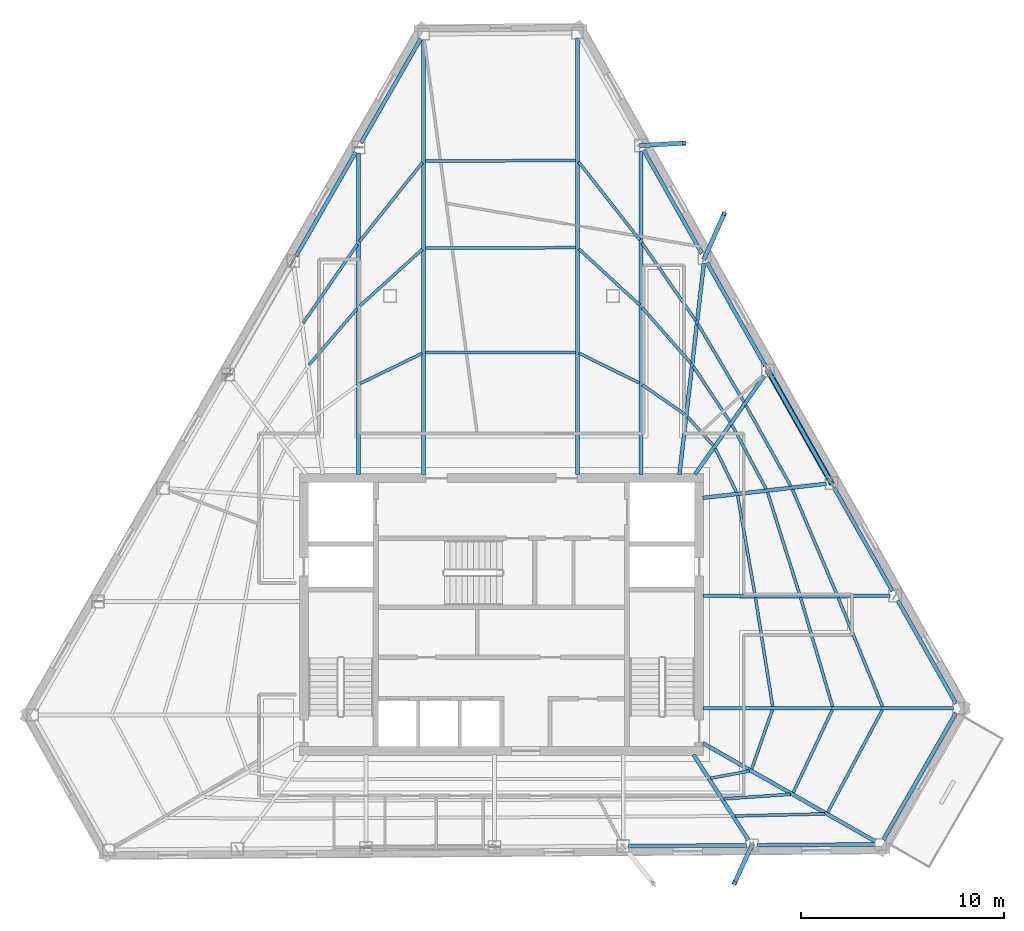
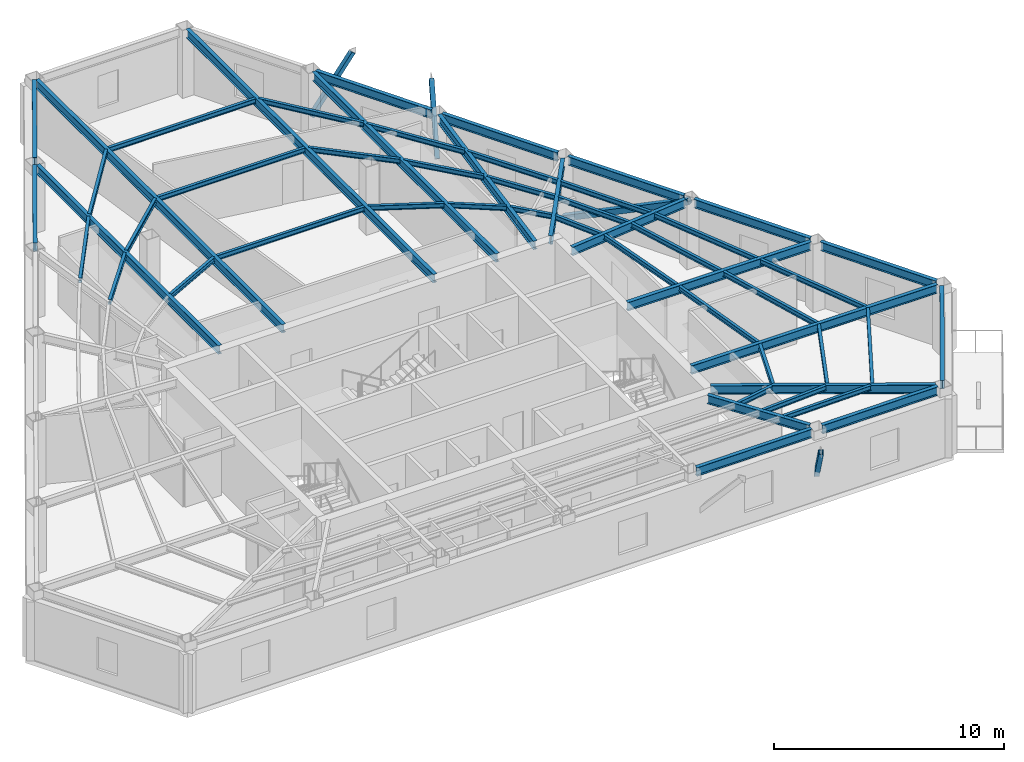
# One storey, part 2 of 12: 53 beams, 4 members.
"""IFC4 building model written with IfcOpenShell, lengths in metres."""

from ifc_helpers import new_model, si_unit, direction, frame, origin, origin_2d, place, context, subcontext, project, spatial, hollow_rectangle, i_section, extrude, material, material_profile, profile_set, type_object, element, save


model = new_model("IFC4")

# Units and contexts
model_context = context("Model", 3, precision=1e-05, world=origin(), true_north=direction((0.0, 1.0)))
body_context = subcontext(model_context, "Body", "Model", "MODEL_VIEW")
ifc_project = project(units=[si_unit("LENGTHUNIT", "METRE"), si_unit("AREAUNIT", "SQUARE_METRE"), si_unit("VOLUMEUNIT", "CUBIC_METRE"), si_unit("PLANEANGLEUNIT", "RADIAN"), si_unit("MASSUNIT", "GRAM", prefix="KILO")], contexts=[model_context])

# Site, building, storey
site_placement = place(None, origin())
site = spatial("IfcSite", under=ifc_project, at=site_placement, CompositionType="ELEMENT")
building_placement = place(site_placement, origin())
building = spatial("IfcBuilding", under=site, at=building_placement, Name="Kavelnor Concourse Tower", CompositionType="ELEMENT")
storey_placement = place(building_placement, frame((0.0, 0.0, 226.60009765625)))
storey = spatial("IfcBuildingStorey", under=building, at=storey_placement, Name="L57", CompositionType="ELEMENT", Elevation=226.60009765625)

# Beams
ifc_material = material(Name="Steel Grade 350", Category="steel")
ifc_material_profile_1 = material_profile(ifc_material, i_section(OverallWidth=0.14599609375, OverallDepth=0.256103515625, WebThickness=0.00634765625, FlangeThickness=0.010986328125, at=origin_2d()), Name="250UB37")
ifc_profile_set_1 = profile_set([ifc_material_profile_1], Name="Steel Grade 350")
beam_type_1 = type_object("IfcBeamType", Name="BM-JOIST-250", PredefinedType="JOIST", material=ifc_profile_set_1)
beam_1_placement = place(storey_placement, frame((48.306884765625, 8.033935546875, 3.471923828125), z_axis=(0.983251944416, 0.182251512483, 0.0), x_axis=(-0.182251512483, 0.983251944416, 0.0)))
element("IfcBeam", 1, at=beam_1_placement, inside=storey, type_object=beam_type_1, Name="L57 Secondary Composite Joist 07-1", PredefinedType="JOIST", context=body_context, shape_type="SweptSolid", body=[
    extrude(i_section(OverallWidth=0.14599609375, OverallDepth=0.256103515625, WebThickness=0.00634765625, FlangeThickness=0.010986328125, at=origin_2d()), origin(), (0.0, 0.0, 1.0), 1.939697265625),
])
beam_2_placement = place(storey_placement, frame((48.95751953125, 7.01611328125, 3.471923828125), z_axis=(0.997741074592, 0.067176990637, 0.0), x_axis=(-0.067176990637, 0.997741074592, 0.0)))
element("IfcBeam", 2, at=beam_2_placement, inside=storey, type_object=beam_type_1, Name="L57 Secondary Composite Joist 07-2", PredefinedType="JOIST", context=body_context, shape_type="SweptSolid", body=[
    extrude(i_section(OverallWidth=0.14599609375, OverallDepth=0.256103515625, WebThickness=0.00634765625, FlangeThickness=0.010986328125, at=origin_2d()), origin(), (0.0, 0.0, 1.0), 3.300048828125),
])
beam_3_placement = place(storey_placement, frame((49.49853515625, 6.172119140625, 3.471923828125), z_axis=(0.999730700512, 0.023206172766, 0.0), x_axis=(-0.023206172766, 0.999730700512, 0.0)))
element("IfcBeam", 3, at=beam_3_placement, inside=storey, type_object=beam_type_1, Name="L57 Secondary Composite Joist 07-3", PredefinedType="JOIST", context=body_context, shape_type="SweptSolid", body=[
    extrude(i_section(OverallWidth=0.14599609375, OverallDepth=0.256103515625, WebThickness=0.00634765625, FlangeThickness=0.010986328125, at=origin_2d()), origin(), (0.0, 0.0, 1.0), 4.4501953125),
])
beam_4_placement = place(storey_placement, frame((50.3310546875, 8.48779296875, 3.471923828125), z_axis=(0.330103288486, 0.943944817736, 0.0), x_axis=(-0.943944817736, 0.330103288486, 0.0)))
element("IfcBeam", 4, at=beam_4_placement, inside=storey, type_object=beam_type_1, Name="L57 Secondary Composite Joist 08-1", PredefinedType="JOIST", context=body_context, shape_type="SweptSolid", body=[
    extrude(i_section(OverallWidth=0.14599609375, OverallDepth=0.256103515625, WebThickness=0.00634765625, FlangeThickness=0.010986328125, at=origin_2d()), origin(), (0.0, 0.0, 1.0), 3.080322265625),
])
beam_5_placement = place(storey_placement, frame((52.376708984375, 7.324462890625, 3.471923828125), z_axis=(0.42732004129, 0.904100427116, 0.0), x_axis=(-0.904100427116, 0.42732004129, 0.0)))
element("IfcBeam", 5, at=beam_5_placement, inside=storey, type_object=beam_type_1, Name="L57 Secondary Composite Joist 08-2", PredefinedType="JOIST", context=body_context, shape_type="SweptSolid", body=[
    extrude(i_section(OverallWidth=0.14599609375, OverallDepth=0.256103515625, WebThickness=0.00634765625, FlangeThickness=0.010986328125, at=origin_2d()), origin(), (0.0, 0.0, 1.0), 4.506591796875),
])
beam_6_placement = place(storey_placement, frame((54.078125, 6.35595703125, 3.471923828125), z_axis=(0.470495144378, 0.882402583358, 0.0), x_axis=(-0.882402583358, 0.470495144378, 0.0)))
element("IfcBeam", 6, at=beam_6_placement, inside=storey, type_object=beam_type_1, Name="L57 Secondary Composite Joist 08-3", PredefinedType="JOIST", context=body_context, shape_type="SweptSolid", body=[
    extrude(i_section(OverallWidth=0.14599609375, OverallDepth=0.256103515625, WebThickness=0.00634765625, FlangeThickness=0.010986328125, at=origin_2d()), origin(), (0.0, 0.0, 1.0), 5.71728515625),
])
beam_7_placement = place(storey_placement, frame((51.36328125, 11.5673828125, 3.471923828125), z_axis=(-0.156121667522, 0.987737832084, 0.0), x_axis=(-0.987737832084, -0.156121667522, 0.0)))
element("IfcBeam", 7, at=beam_7_placement, inside=storey, type_object=beam_type_1, Name="L57 Secondary Composite Joist 09-1", PredefinedType="JOIST", context=body_context, shape_type="SweptSolid", body=[
    extrude(i_section(OverallWidth=0.14599609375, OverallDepth=0.256103515625, WebThickness=0.00634765625, FlangeThickness=0.010986328125, at=origin_2d()), origin(), (0.0, 0.0, 1.0), 5.437255859375),
])
beam_8_placement = place(storey_placement, frame((54.3154296875, 11.56494140625, 3.471923828125), z_axis=(-0.281637806617, 0.959520789709, 0.0), x_axis=(-0.959520789709, -0.281637806617, 0.0)))
element("IfcBeam", 8, at=beam_8_placement, inside=storey, type_object=beam_type_1, Name="L57 Secondary Composite Joist 09-2", PredefinedType="JOIST", context=body_context, shape_type="SweptSolid", body=[
    extrude(i_section(OverallWidth=0.14599609375, OverallDepth=0.256103515625, WebThickness=0.00634765625, FlangeThickness=0.010986328125, at=origin_2d()), origin(), (0.0, 0.0, 1.0), 5.6025390625),
])
beam_9_placement = place(storey_placement, frame((56.7763671875, 11.56201171875, 3.471923828125), z_axis=(-0.376522464483, 0.926407487955, 0.0), x_axis=(-0.926407487955, -0.376522464483, 0.0)))
element("IfcBeam", 9, at=beam_9_placement, inside=storey, type_object=beam_type_1, Name="L57 Secondary Composite Joist 09-3", PredefinedType="JOIST", context=body_context, shape_type="SweptSolid", body=[
    extrude(i_section(OverallWidth=0.14599609375, OverallDepth=0.256103515625, WebThickness=0.00634765625, FlangeThickness=0.010986328125, at=origin_2d()), origin(), (0.0, 0.0, 1.0), 5.80908203125),
])
beam_10_placement = place(storey_placement, frame((50.485107421875, 17.11376953125, 3.471923828125), z_axis=(-0.172079071984, 0.985083140139, 0.0), x_axis=(-0.985083140139, -0.172079071984, 0.0)))
element("IfcBeam", 10, at=beam_10_placement, inside=storey, type_object=beam_type_1, Name="L57 Secondary Composite Joist 10-1", PredefinedType="JOIST", context=body_context, shape_type="SweptSolid", body=[
    extrude(i_section(OverallWidth=0.14599609375, OverallDepth=0.256103515625, WebThickness=0.00634765625, FlangeThickness=0.010986328125, at=origin_2d()), origin(), (0.0, 0.0, 1.0), 4.91455078125),
])
beam_11_placement = place(storey_placement, frame((52.685791015625, 17.11083984375, 3.471923828125), z_axis=(-0.299650219175, 0.954049131936, 0.0), x_axis=(-0.954049131936, -0.299650219175, 0.0)))
element("IfcBeam", 11, at=beam_11_placement, inside=storey, type_object=beam_type_1, Name="L57 Secondary Composite Joist 10-2", PredefinedType="JOIST", context=body_context, shape_type="SweptSolid", body=[
    extrude(i_section(OverallWidth=0.14599609375, OverallDepth=0.256103515625, WebThickness=0.00634765625, FlangeThickness=0.010986328125, at=origin_2d()), origin(), (0.0, 0.0, 1.0), 5.255126953125),
])
beam_12_placement = place(storey_placement, frame((54.52099609375, 17.10791015625, 3.471923828125), z_axis=(-0.38998684403, 0.920820428468, 0.0), x_axis=(-0.920820428468, -0.38998684403, 0.0)))
element("IfcBeam", 12, at=beam_12_placement, inside=storey, type_object=beam_type_1, Name="L57 Secondary Composite Joist 10-3", PredefinedType="JOIST", context=body_context, shape_type="SweptSolid", body=[
    extrude(i_section(OverallWidth=0.14599609375, OverallDepth=0.256103515625, WebThickness=0.00634765625, FlangeThickness=0.010986328125, at=origin_2d()), origin(), (0.0, 0.0, 1.0), 5.602294921875),
])
beam_13_placement = place(storey_placement, frame((49.585205078125, 22.122802734375, 3.471923828125), z_axis=(-0.437967318493, 0.898990894243, 0.0), x_axis=(-0.898990894243, -0.437967318493, 0.0)))
element("IfcBeam", 13, at=beam_13_placement, inside=storey, type_object=beam_type_1, Name="L57 Secondary Composite Joist 11-1", PredefinedType="JOIST", context=body_context, shape_type="SweptSolid", body=[
    extrude(i_section(OverallWidth=0.14599609375, OverallDepth=0.256103515625, WebThickness=0.00634765625, FlangeThickness=0.010986328125, at=origin_2d()), origin(), (0.0, 0.0, 1.0), 2.403564453125),
])
beam_14_placement = place(storey_placement, frame((51.04248046875, 22.2880859375, 3.471923828125), z_axis=(-0.471493309063, 0.881869638614, 0.0), x_axis=(-0.881869638614, -0.471493309063, 0.0)))
element("IfcBeam", 14, at=beam_14_placement, inside=storey, type_object=beam_type_1, Name="L57 Secondary Composite Joist 11-2", PredefinedType="JOIST", context=body_context, shape_type="SweptSolid", body=[
    extrude(i_section(OverallWidth=0.14599609375, OverallDepth=0.256103515625, WebThickness=0.00634765625, FlangeThickness=0.010986328125, at=origin_2d()), origin(), (0.0, 0.0, 1.0), 3.583251953125),
])
beam_15_placement = place(storey_placement, frame((52.258056640625, 22.42626953125, 3.471923828125), z_axis=(-0.486450439363, 0.873708172128, 0.0), x_axis=(-0.873708172128, -0.486450439363, 0.0)))
element("IfcBeam", 15, at=beam_15_placement, inside=storey, type_object=beam_type_1, Name="L57 Secondary Composite Joist 11-3", PredefinedType="JOIST", context=body_context, shape_type="SweptSolid", body=[
    extrude(i_section(OverallWidth=0.14599609375, OverallDepth=0.256103515625, WebThickness=0.00634765625, FlangeThickness=0.010986328125, at=origin_2d()), origin(), (0.0, 0.0, 1.0), 4.568115234375),
])
beam_16_placement = place(storey_placement, frame((48.43408203125, 24.43017578125, 3.471923828125), z_axis=(-0.666655977693, 0.745365552871, 0.0), x_axis=(-0.745365552871, -0.666655977693, 0.0)))
element("IfcBeam", 16, at=beam_16_placement, inside=storey, type_object=beam_type_1, Name="L57 Secondary Composite Joist 12-1", PredefinedType="JOIST", context=body_context, shape_type="SweptSolid", body=[
    extrude(i_section(OverallWidth=0.14599609375, OverallDepth=0.256103515625, WebThickness=0.00634765625, FlangeThickness=0.010986328125, at=origin_2d()), origin(), (0.0, 0.0, 1.0), 1.9013671875),
])
beam_17_placement = place(storey_placement, frame((49.261962890625, 25.6005859375, 3.471923828125), z_axis=(-0.553103899093, 0.833112283434, 0.0), x_axis=(-0.833112283434, -0.553103899093, 0.0)))
element("IfcBeam", 17, at=beam_17_placement, inside=storey, type_object=beam_type_1, Name="L57 Secondary Composite Joist 12-2", PredefinedType="JOIST", context=body_context, shape_type="SweptSolid", body=[
    extrude(i_section(OverallWidth=0.14599609375, OverallDepth=0.256103515625, WebThickness=0.00634765625, FlangeThickness=0.010986328125, at=origin_2d()), origin(), (0.0, 0.0, 1.0), 3.284423828125),
])
beam_18_placement = place(storey_placement, frame((49.947509765625, 26.572021484375, 3.471923828125), z_axis=(-0.507833014496, 0.861455529547, 0.0), x_axis=(-0.861455529547, -0.507833014496, 0.0)))
element("IfcBeam", 18, at=beam_18_placement, inside=storey, type_object=beam_type_1, Name="L57 Secondary Composite Joist 12-3", PredefinedType="JOIST", context=body_context, shape_type="SweptSolid", body=[
    extrude(i_section(OverallWidth=0.14599609375, OverallDepth=0.256103515625, WebThickness=0.00634765625, FlangeThickness=0.010986328125, at=origin_2d()), origin(), (0.0, 0.0, 1.0), 4.46142578125),
])
beam_19_placement = place(storey_placement, frame((47.0341796875, 25.964599609375, 3.471923828125), z_axis=(-0.821171249174, 0.570681854915, 0.0), x_axis=(-0.570681854915, -0.821171249174, 0.0)))
element("IfcBeam", 19, at=beam_19_placement, inside=storey, type_object=beam_type_1, Name="L57 Secondary Composite Joist 13-1", PredefinedType="JOIST", context=body_context, shape_type="SweptSolid", body=[
    extrude(i_section(OverallWidth=0.14599609375, OverallDepth=0.256103515625, WebThickness=0.00634765625, FlangeThickness=0.010986328125, at=origin_2d()), origin(), (0.0, 0.0, 1.0), 2.54296875),
])
beam_20_placement = place(storey_placement, frame((47.33740234375, 28.477783203125, 3.471923828125), z_axis=(-0.658400545418, 0.75266773665, 0.0), x_axis=(-0.75266773665, -0.658400545418, 0.0)))
element("IfcBeam", 20, at=beam_20_placement, inside=storey, type_object=beam_type_1, Name="L57 Secondary Composite Joist 13-2", PredefinedType="JOIST", context=body_context, shape_type="SweptSolid", body=[
    extrude(i_section(OverallWidth=0.14599609375, OverallDepth=0.256103515625, WebThickness=0.00634765625, FlangeThickness=0.010986328125, at=origin_2d()), origin(), (0.0, 0.0, 1.0), 3.654296875),
])
beam_21_placement = place(storey_placement, frame((47.586181640625, 30.565185546875, 3.471923828125), z_axis=(-0.569090581737, 0.822274838347, 0.0), x_axis=(-0.822274838347, -0.569090581737, 0.0)))
element("IfcBeam", 21, at=beam_21_placement, inside=storey, type_object=beam_type_1, Name="L57 Secondary Composite Joist 13-3", PredefinedType="JOIST", context=body_context, shape_type="SweptSolid", body=[
    extrude(i_section(OverallWidth=0.14599609375, OverallDepth=0.256103515625, WebThickness=0.00634765625, FlangeThickness=0.010986328125, at=origin_2d()), origin(), (0.0, 0.0, 1.0), 4.6787109375),
])
beam_22_placement = place(storey_placement, frame((44.793212890625, 27.506103515625, 3.471923828125), z_axis=(-0.895850575162, 0.444355428663, 0.0), x_axis=(-0.444355428663, -0.895850575162, 0.0)))
element("IfcBeam", 22, at=beam_22_placement, inside=storey, type_object=beam_type_1, Name="L57 Secondary Composite Joist 14-1", PredefinedType="JOIST", context=body_context, shape_type="SweptSolid", body=[
    extrude(i_section(OverallWidth=0.14599609375, OverallDepth=0.256103515625, WebThickness=0.00634765625, FlangeThickness=0.010986328125, at=origin_2d()), origin(), (0.0, 0.0, 1.0), 3.31689453125),
])
beam_23_placement = place(storey_placement, frame((44.807373046875, 31.35546875, 3.471923828125), z_axis=(-0.735484660353, 0.677541374667, 0.0), x_axis=(-0.677541374667, -0.735484660353, 0.0)))
element("IfcBeam", 23, at=beam_23_placement, inside=storey, type_object=beam_type_1, Name="L57 Secondary Composite Joist 14-2", PredefinedType="JOIST", context=body_context, shape_type="SweptSolid", body=[
    extrude(i_section(OverallWidth=0.14599609375, OverallDepth=0.256103515625, WebThickness=0.00634765625, FlangeThickness=0.010986328125, at=origin_2d()), origin(), (0.0, 0.0, 1.0), 4.07861328125),
])
beam_24_placement = place(storey_placement, frame((44.818115234375, 34.5556640625, 3.471923828125), z_axis=(-0.616991014999, 0.786970194741, 0.0), x_axis=(-0.786970194741, -0.616991014999, 0.0)))
element("IfcBeam", 24, at=beam_24_placement, inside=storey, type_object=beam_type_1, Name="L57 Secondary Composite Joist 14-3", PredefinedType="JOIST", context=body_context, shape_type="SweptSolid", body=[
    extrude(i_section(OverallWidth=0.14599609375, OverallDepth=0.256103515625, WebThickness=0.00634765625, FlangeThickness=0.010986328125, at=origin_2d()), origin(), (0.0, 0.0, 1.0), 4.896240234375),
])
for number, where, z_axis, x_axis, name in (
    (25, (41.653076171875, 29.01953125, 3.471923828125), (-0.999997978723, -0.002010609338, 0.0), (0.002010609338, -0.999997978723, 0.0), "L57 Secondary Composite Joist 15-1"),
    (26, (41.653076171875, 34.178955078125, 3.471923828125), (-0.999993186048, -0.003691592895, 0.0), (0.003691592895, -0.999993186048, 0.0), "L57 Secondary Composite Joist 15-2"),
    (27, (41.653076171875, 38.478515625, 3.471923828125), (-0.999986780712, -0.005141828597, 0.0), (0.005141828597, -0.999986780712, 0.0), "L57 Secondary Composite Joist 15-3"),
):
    element("IfcBeam", number, at=place(storey_placement, frame(where, z_axis=z_axis, x_axis=x_axis)), inside=storey, type_object=beam_type_1, Name=name, PredefinedType="JOIST", context=body_context, shape_type="SweptSolid", body=[
        extrude(i_section(OverallWidth=0.14599609375, OverallDepth=0.256103515625, WebThickness=0.00634765625, FlangeThickness=0.010986328125, at=origin_2d()), origin(), (0.0, 0.0, 1.0), 7.406982421875),
    ])
beam_25_placement = place(storey_placement, frame((34.076904296875, 28.96533203125, 3.471923828125), z_axis=(-0.898758075113, -0.438444890973, 0.0), x_axis=(0.438444890973, -0.898758075113, 0.0)))
element("IfcBeam", 28, at=beam_25_placement, inside=storey, type_object=beam_type_1, Name="L57 Secondary Composite Joist 16-1", PredefinedType="JOIST", context=body_context, shape_type="SweptSolid", body=[
    extrude(i_section(OverallWidth=0.14599609375, OverallDepth=0.256103515625, WebThickness=0.00634765625, FlangeThickness=0.010986328125, at=origin_2d()), origin(), (0.0, 0.0, 1.0), 3.393798828125),
])
beam_26_placement = place(storey_placement, frame((34.091064453125, 34.09130859375, 3.471923828125), z_axis=(-0.74104269461, -0.671457909899, 0.0), x_axis=(0.671457909899, -0.74104269461, 0.0)))
element("IfcBeam", 29, at=beam_26_placement, inside=storey, type_object=beam_type_1, Name="L57 Secondary Composite Joist 16-2", PredefinedType="JOIST", context=body_context, shape_type="SweptSolid", body=[
    extrude(i_section(OverallWidth=0.14599609375, OverallDepth=0.256103515625, WebThickness=0.00634765625, FlangeThickness=0.010986328125, at=origin_2d()), origin(), (0.0, 0.0, 1.0), 4.154052734375),
])
beam_27_placement = place(storey_placement, frame((34.1015625, 38.370361328125, 3.471923828125), z_axis=(-0.62329894921, -0.781983644275, 0.0), x_axis=(0.781983644275, -0.62329894921, 0.0)))
element("IfcBeam", 30, at=beam_27_placement, inside=storey, type_object=beam_type_1, Name="L57 Secondary Composite Joist 16-3", PredefinedType="JOIST", context=body_context, shape_type="SweptSolid", body=[
    extrude(i_section(OverallWidth=0.14599609375, OverallDepth=0.256103515625, WebThickness=0.00634765625, FlangeThickness=0.010986328125, at=origin_2d()), origin(), (0.0, 0.0, 1.0), 4.972412109375),
])
beam_28_placement = place(storey_placement, frame((30.888671875, 31.1748046875, 3.471923828125), z_axis=(-0.650212923945, -0.759752034242, 0.0), x_axis=(0.759752034242, -0.650212923945, 0.0)))
element("IfcBeam", 31, at=beam_28_placement, inside=storey, type_object=beam_type_1, Name="L57 Secondary Composite Joist 17-2", PredefinedType="JOIST", context=body_context, shape_type="SweptSolid", body=[
    extrude(i_section(OverallWidth=0.14599609375, OverallDepth=0.256103515625, WebThickness=0.00634765625, FlangeThickness=0.010986328125, at=origin_2d()), origin(), (0.0, 0.0, 1.0), 3.65087890625),
])
beam_29_placement = place(storey_placement, frame((30.89599609375, 34.339111328125, 3.471923828125), z_axis=(-0.567295867936, -0.82351405466, 0.0), x_axis=(0.82351405466, -0.567295867936, 0.0)))
element("IfcBeam", 32, at=beam_29_placement, inside=storey, type_object=beam_type_1, Name="L57 Secondary Composite Joist 17-3", PredefinedType="JOIST", context=body_context, shape_type="SweptSolid", body=[
    extrude(i_section(OverallWidth=0.14599609375, OverallDepth=0.256103515625, WebThickness=0.00634765625, FlangeThickness=0.010986328125, at=origin_2d()), origin(), (0.0, 0.0, 1.0), 4.712890625),
])
ifc_material_profile_2 = material_profile(ifc_material, i_section(OverallWidth=0.18994140625, OverallDepth=0.4541015625, WebThickness=0.008544921875, FlangeThickness=0.0126953125, at=origin_2d()), Name="460UB67")
ifc_profile_set_2 = profile_set([ifc_material_profile_2], Name="Steel Grade 350")
beam_type_2 = type_object("IfcBeamType", Name="BM-PRIMARY-460", PredefinedType="BEAM", material=ifc_profile_set_2)
beam_30_placement = place(storey_placement, frame((34.156982421875, 23.0, 3.372802734375), z_axis=(0.0, 1.0, 0.0), x_axis=(-1.0, 0.0, 0.0)))
element("IfcBeam", 33, at=beam_30_placement, inside=storey, type_object=beam_type_2, Name="L57 Primary Floor Girder F0-B0", PredefinedType="BEAM", context=body_context, shape_type="SweptSolid", body=[
    extrude(i_section(OverallWidth=0.18994140625, OverallDepth=0.4541015625, WebThickness=0.008544921875, FlangeThickness=0.0126953125, at=origin_2d()), origin(), (0.0, 0.0, 1.0), 21.444580078125),
])
beam_31_placement = place(storey_placement, frame((30.946533203125, 23.0, 3.372802734375), z_axis=(0.0, 1.0, 0.0), x_axis=(-1.0, 0.0, 0.0)))
element("IfcBeam", 34, at=beam_31_placement, inside=storey, type_object=beam_type_2, Name="L57 Primary Floor Girder F0-B1", PredefinedType="BEAM", context=body_context, shape_type="SweptSolid", body=[
    extrude(i_section(OverallWidth=0.18994140625, OverallDepth=0.4541015625, WebThickness=0.008544921875, FlangeThickness=0.0126953125, at=origin_2d()), origin(), (0.0, 0.0, 1.0), 15.8505859375),
])
beam_32_placement = place(storey_placement, frame((47.461669921875, 9.193603515625, 3.372802734375), z_axis=(0.54161691921, -0.840625429562, 0.0), x_axis=(0.840625429562, 0.54161691921, 0.0)))
element("IfcBeam", 35, at=beam_32_placement, inside=storey, type_object=beam_type_2, Name="L57 Primary Floor Girder F1-B5", PredefinedType="BEAM", context=body_context, shape_type="SweptSolid", body=[
    extrude(i_section(OverallWidth=0.18994140625, OverallDepth=0.4541015625, WebThickness=0.008544921875, FlangeThickness=0.0126953125, at=origin_2d()), origin(), (0.0, 0.0, 1.0), 4.995361328125),
])
beam_33_placement = place(storey_placement, frame((47.92529296875, 9.7568359375, 3.372802734375), z_axis=(0.869014299789, -0.494786971092, 0.0), x_axis=(0.494786971092, 0.869014299789, 0.0)))
element("IfcBeam", 36, at=beam_33_placement, inside=storey, type_object=beam_type_2, Name="L57 Primary Floor Girder F1-B6", PredefinedType="BEAM", context=body_context, shape_type="SweptSolid", body=[
    extrude(i_section(OverallWidth=0.18994140625, OverallDepth=0.4541015625, WebThickness=0.008544921875, FlangeThickness=0.0126953125, at=origin_2d()), origin(), (0.0, 0.0, 1.0), 9.766845703125),
])
beam_34_placement = place(storey_placement, frame((47.919921875, 11.4794921875, 3.372802734375), z_axis=(1.0, 0.0, 0.0), x_axis=(0.0, 1.0, 0.0)))
element("IfcBeam", 37, at=beam_34_placement, inside=storey, type_object=beam_type_2, Name="L57 Primary Floor Girder F2-B0", PredefinedType="BEAM", context=body_context, shape_type="SweptSolid", body=[
    extrude(i_section(OverallWidth=0.18994140625, OverallDepth=0.4541015625, WebThickness=0.008544921875, FlangeThickness=0.0126953125, at=origin_2d()), origin(), (0.0, 0.0, 1.0), 12.34716796875),
])
beam_35_placement = place(storey_placement, frame((47.919921875, 17.02587890625, 3.372802734375), z_axis=(1.0, 0.0, 0.0), x_axis=(0.0, 1.0, 0.0)))
element("IfcBeam", 38, at=beam_35_placement, inside=storey, type_object=beam_type_2, Name="L57 Primary Floor Girder F2-B1", PredefinedType="BEAM", context=body_context, shape_type="SweptSolid", body=[
    extrude(i_section(OverallWidth=0.18994140625, OverallDepth=0.4541015625, WebThickness=0.008544921875, FlangeThickness=0.0126953125, at=origin_2d()), origin(), (0.0, 0.0, 1.0), 9.21630859375),
])
beam_36_placement = place(storey_placement, frame((47.92041015625, 21.848388671875, 3.372802734375), z_axis=(0.99354769753, 0.113415046322, 0.0), x_axis=(-0.113415046322, 0.99354769753, 0.0)))
element("IfcBeam", 39, at=beam_36_placement, inside=storey, type_object=beam_type_2, Name="L57 Primary Floor Girder F2-B2", PredefinedType="BEAM", context=body_context, shape_type="SweptSolid", body=[
    extrude(i_section(OverallWidth=0.18994140625, OverallDepth=0.4541015625, WebThickness=0.008544921875, FlangeThickness=0.0126953125, at=origin_2d()), origin(), (0.0, 0.0, 1.0), 6.124267578125),
])
beam_37_placement = place(storey_placement, frame((47.539306640625, 23.00732421875, 3.372802734375), z_axis=(0.575284066463, 0.817953692378, 0.0), x_axis=(-0.817953692378, 0.575284066463, 0.0)))
element("IfcBeam", 40, at=beam_37_placement, inside=storey, type_object=beam_type_2, Name="L57 Primary Floor Girder F2-B3", PredefinedType="BEAM", context=body_context, shape_type="SweptSolid", body=[
    extrude(i_section(OverallWidth=0.18994140625, OverallDepth=0.4541015625, WebThickness=0.008544921875, FlangeThickness=0.0126953125, at=origin_2d()), origin(), (0.0, 0.0, 1.0), 5.922607421875),
])
beam_38_placement = place(storey_placement, frame((46.7705078125, 23.000244140625, 3.372802734375), z_axis=(0.114863858043, 0.993381243086, 0.0), x_axis=(-0.993381243086, 0.114863858043, 0.0)))
element("IfcBeam", 41, at=beam_38_placement, inside=storey, type_object=beam_type_2, Name="L57 Primary Floor Girder F2-B4", PredefinedType="BEAM", context=body_context, shape_type="SweptSolid", body=[
    extrude(i_section(OverallWidth=0.18994140625, OverallDepth=0.4541015625, WebThickness=0.008544921875, FlangeThickness=0.0126953125, at=origin_2d()), origin(), (0.0, 0.0, 1.0), 10.474365234375),
])
beam_39_placement = place(storey_placement, frame((44.872802734375, 23.0, 3.372802734375), z_axis=(0.0, 1.0, 0.0), x_axis=(-1.0, 0.0, 0.0)))
element("IfcBeam", 42, at=beam_39_placement, inside=storey, type_object=beam_type_2, Name="L57 Primary Floor Girder F2-B5", PredefinedType="BEAM", context=body_context, shape_type="SweptSolid", body=[
    extrude(i_section(OverallWidth=0.18994140625, OverallDepth=0.4541015625, WebThickness=0.008544921875, FlangeThickness=0.0126953125, at=origin_2d()), origin(), (0.0, 0.0, 1.0), 15.9521484375),
])
beam_40_placement = place(storey_placement, frame((41.7421875, 23.0, 3.372802734375), z_axis=(0.0, 1.0, 0.0), x_axis=(-1.0, 0.0, 0.0)))
element("IfcBeam", 43, at=beam_40_placement, inside=storey, type_object=beam_type_2, Name="L57 Primary Floor Girder F2-B6", PredefinedType="BEAM", context=body_context, shape_type="SweptSolid", body=[
    extrude(i_section(OverallWidth=0.18994140625, OverallDepth=0.4541015625, WebThickness=0.008544921875, FlangeThickness=0.0126953125, at=origin_2d()), origin(), (0.0, 0.0, 1.0), 21.498779296875),
])
ifc_material_profile_3 = material_profile(ifc_material, i_section(OverallWidth=0.19091796875, OverallDepth=0.4599609375, WebThickness=0.010009765625, FlangeThickness=0.01611328125, at=origin_2d()), Name="460UB82")
ifc_profile_set_3 = profile_set([ifc_material_profile_3], Name="Steel Grade 350")
beam_type_3 = type_object("IfcBeamType", Name="BM-SPANDREL-Z3", PredefinedType="SPANDREL", material=ifc_profile_set_3)
beam_41_placement = place(storey_placement, frame((34.025146484375, 44.474609375, 3.369873046875), z_axis=(-0.497750329988, -0.867320361226, 0.0), x_axis=(0.867320361226, -0.497750329988, 0.0)))
element("IfcBeam", 44, at=beam_41_placement, inside=storey, type_object=beam_type_3, Name="L57 Perimeter Tube Spandrel Beam F0-B0", PredefinedType="SPANDREL", context=body_context, shape_type="SweptSolid", body=[
    extrude(i_section(OverallWidth=0.19091796875, OverallDepth=0.4599609375, WebThickness=0.010009765625, FlangeThickness=0.01611328125, at=origin_2d()), origin(), (0.0, 0.0, 1.0), 5.919677734375),
])
beam_42_placement = place(storey_placement, frame((30.814697265625, 38.880859375, 3.369873046875), z_axis=(-0.497781353144, -0.867302556472, 0.0), x_axis=(0.867302556472, -0.497781353144, 0.0)))
element("IfcBeam", 45, at=beam_42_placement, inside=storey, type_object=beam_type_3, Name="L57 Perimeter Tube Spandrel Beam F0-B1", PredefinedType="SPANDREL", context=body_context, shape_type="SweptSolid", body=[
    extrude(i_section(OverallWidth=0.19091796875, OverallDepth=0.4599609375, WebThickness=0.010009765625, FlangeThickness=0.01611328125, at=origin_2d()), origin(), (0.0, 0.0, 1.0), 5.919921875),
])
for number, where, z_axis, x_axis, name in (
    (46, (44.264404296875, 4.6845703125, 3.369873046875), (0.999974480051, 0.007144175735, 0.0), (-0.007144175735, 0.999974480051, 0.0), "L57 Perimeter Tube Spandrel Beam F1-B4"),
    (47, (50.603759765625, 4.72998046875, 3.369873046875), (0.999974480051, 0.007144175735, 0.0), (-0.007144175735, 0.999974480051, 0.0), "L57 Perimeter Tube Spandrel Beam F1-B5"),
):
    element("IfcBeam", number, at=place(storey_placement, frame(where, z_axis=z_axis, x_axis=x_axis)), inside=storey, type_object=beam_type_3, Name=name, PredefinedType="SPANDREL", context=body_context, shape_type="SweptSolid", body=[
        extrude(i_section(OverallWidth=0.19091796875, OverallDepth=0.4599609375, WebThickness=0.010009765625, FlangeThickness=0.01611328125, at=origin_2d()), origin(), (0.0, 0.0, 1.0), 5.8095703125),
    ])
for number, where, z_axis, x_axis, name in (
    (48, (60.396728515625, 11.710205078125, 3.369873046875), (-0.491539134934, 0.870855486765, 0.0), (-0.870855486765, -0.491539134934, 0.0), "L57 Perimeter Tube Spandrel Beam F2-B0"),
    (49, (57.265869140625, 17.2568359375, 3.369873046875), (-0.491539134934, 0.870855486765, 0.0), (-0.870855486765, -0.491539134934, 0.0), "L57 Perimeter Tube Spandrel Beam F2-B1"),
):
    element("IfcBeam", number, at=place(storey_placement, frame(where, z_axis=z_axis, x_axis=x_axis)), inside=storey, type_object=beam_type_3, Name=name, PredefinedType="SPANDREL", context=body_context, shape_type="SweptSolid", body=[
        extrude(i_section(OverallWidth=0.19091796875, OverallDepth=0.4599609375, WebThickness=0.010009765625, FlangeThickness=0.01611328125, at=origin_2d()), origin(), (0.0, 0.0, 1.0), 5.839111328125),
    ])
beam_43_placement = place(storey_placement, frame((54.135009765625, 22.803466796875, 3.369873046875), z_axis=(-0.491557033408, 0.870845384042, 0.0), x_axis=(-0.870845384042, -0.491557033408, 0.0)))
element("IfcBeam", 50, at=beam_43_placement, inside=storey, type_object=beam_type_3, Name="L57 Perimeter Tube Spandrel Beam F2-B2", PredefinedType="SPANDREL", context=body_context, shape_type="SweptSolid", body=[
    extrude(i_section(OverallWidth=0.19091796875, OverallDepth=0.4599609375, WebThickness=0.010009765625, FlangeThickness=0.01611328125, at=origin_2d()), origin(), (0.0, 0.0, 1.0), 5.8388671875),
])
for number, where, z_axis, x_axis, name in (
    (51, (51.00439453125, 28.349853515625, 3.369873046875), (-0.491570843552, 0.870837588629, 0.0), (-0.870837588629, -0.491570843552, 0.0), "L57 Perimeter Tube Spandrel Beam F2-B3"),
    (52, (47.873291015625, 33.896484375, 3.369873046875), (-0.491539134934, 0.870855486765, 0.0), (-0.870855486765, -0.491539134934, 0.0), "L57 Perimeter Tube Spandrel Beam F2-B4"),
):
    element("IfcBeam", number, at=place(storey_placement, frame(where, z_axis=z_axis, x_axis=x_axis)), inside=storey, type_object=beam_type_3, Name=name, PredefinedType="SPANDREL", context=body_context, shape_type="SweptSolid", body=[
        extrude(i_section(OverallWidth=0.19091796875, OverallDepth=0.4599609375, WebThickness=0.010009765625, FlangeThickness=0.01611328125, at=origin_2d()), origin(), (0.0, 0.0, 1.0), 5.839111328125),
    ])
beam_44_placement = place(storey_placement, frame((56.81005859375, 5.003173828125, 3.369873046875), z_axis=(0.49775892199, 0.867315430267, 0.0), x_axis=(-0.867315430267, 0.49775892199, 0.0)))
element("IfcBeam", 53, at=beam_44_placement, inside=storey, type_object=beam_type_3, Name="L57 Chamfer Facet Spandrel Beam C2", PredefinedType="SPANDREL", context=body_context, shape_type="SweptSolid", body=[
    extrude(i_section(OverallWidth=0.19091796875, OverallDepth=0.4599609375, WebThickness=0.010009765625, FlangeThickness=0.01611328125, at=origin_2d()), origin(), (0.0, 0.0, 1.0), 7.2021484375),
])

# Members
ifc_material_profile_4 = material_profile(ifc_material, hollow_rectangle(XDim=0.219970703125, YDim=0.219970703125, WallThickness=0.013916015625, at=origin_2d()), Name="SHS 220x220x14")
ifc_profile_set_4 = profile_set([ifc_material_profile_4], Name="Steel Grade 350")
member_type_1 = type_object("IfcMemberType", Name="MBR-BALC-STRUT-220", PredefinedType="STRUT", material=ifc_profile_set_4)
member_1_placement = place(storey_placement, frame((50.3388671875, 4.72802734375, 1.0498046875), z_axis=(-0.257193914866, -0.562054533517, 0.786095408655), x_axis=(0.90931860049, -0.416100568136, 0.0)))
element("IfcMember", 54, at=member_1_placement, inside=storey, type_object=member_type_1, Name="L57 Tree Balcony Raking Knee Strut 1-B", PredefinedType="STRUT", context=body_context, shape_type="SweptSolid", body=[
    extrude(hollow_rectangle(XDim=0.219970703125, YDim=0.219970703125, WallThickness=0.013916015625, at=origin_2d()), origin(), (0.0, 0.0, 1.0), 3.313720703125),
])
member_2_placement = place(storey_placement, frame((48.003662109375, 33.66552734375, 1.0498046875), z_axis=(0.274906059419, 0.617243210569, 0.737182119629), x_axis=(-0.913495036733, 0.406849871408, 0.0)))
element("IfcMember", 55, at=member_2_placement, inside=storey, type_object=member_type_1, Name="L57 Tree Balcony Raking Knee Strut 2-A", PredefinedType="STRUT", context=body_context, shape_type="SweptSolid", body=[
    extrude(hollow_rectangle(XDim=0.219970703125, YDim=0.219970703125, WallThickness=0.013916015625, at=origin_2d()), origin(), (0.0, 0.0, 1.0), 3.53369140625),
])
member_3_placement = place(storey_placement, frame((44.872802734375, 39.212158203125, 1.0498046875), z_axis=(0.633844269155, 0.035121040848, 0.77266289865), x_axis=(-0.05532470941, 0.998468415389, 0.0)))
element("IfcMember", 56, at=member_3_placement, inside=storey, type_object=member_type_1, Name="L57 Tree Balcony Raking Knee Strut 2-B", PredefinedType="STRUT", context=body_context, shape_type="SweptSolid", body=[
    extrude(hollow_rectangle(XDim=0.219970703125, YDim=0.219970703125, WallThickness=0.013916015625, at=origin_2d()), origin(), (0.0, 0.0, 1.0), 3.371337890625),
])
ifc_material_profile_5 = material_profile(ifc_material, hollow_rectangle(XDim=0.280029296875, YDim=0.280029296875, WallThickness=0.01611328125, at=origin_2d()), Name="SHS 280x280x16")
ifc_profile_set_5 = profile_set([ifc_material_profile_5], Name="Steel Grade 350")
member_type_2 = type_object("IfcMemberType", Name="MBR-TUBE-DIAG-Z3", PredefinedType="BRACE", material=ifc_profile_set_5)
member_4_placement = place(storey_placement, frame((51.134521484375, 28.119140625, 0.219970703125), z_axis=(0.440619767047, -0.780602034275, 0.443299768749), x_axis=(0.870844687588, 0.491558267249, 0.0)))
element("IfcMember", 57, at=member_4_placement, inside=storey, type_object=member_type_2, Name="L57 Framed-Tube Bracing Diagonal F2-B2", PredefinedType="BRACE", context=body_context, shape_type="SweptSolid", body=[
    extrude(hollow_rectangle(XDim=0.280029296875, YDim=0.280029296875, WallThickness=0.01611328125, at=origin_2d()), origin(), (0.0, 0.0, 1.0), 7.10546875),
])

save(model, "model.ifc")
